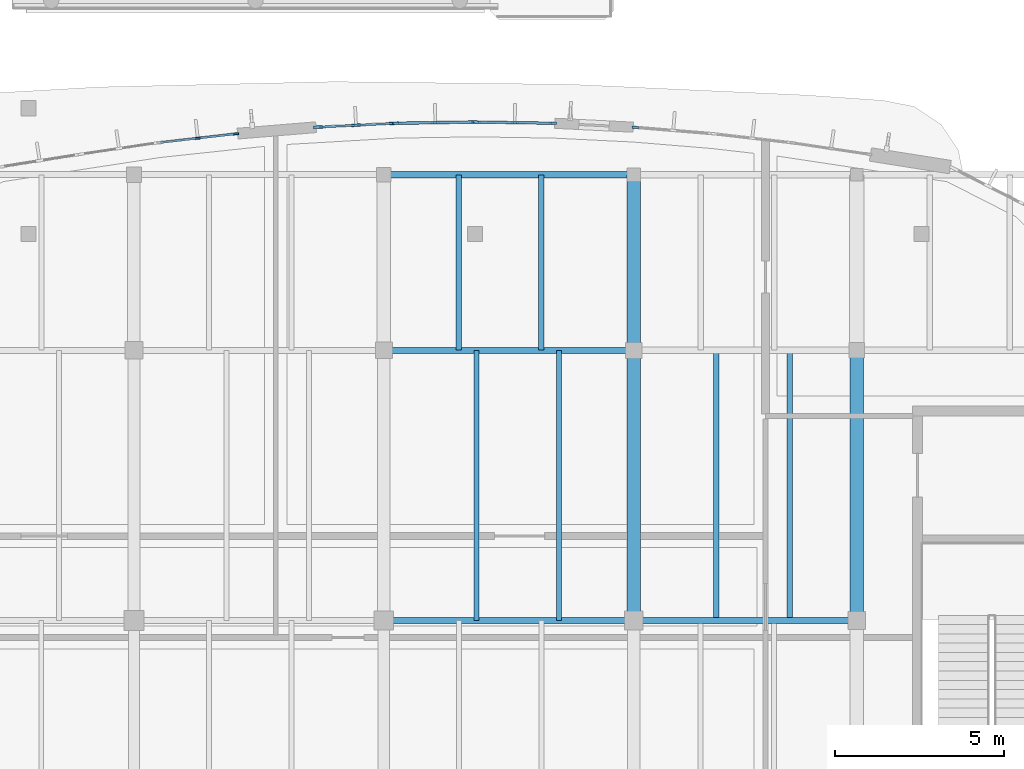
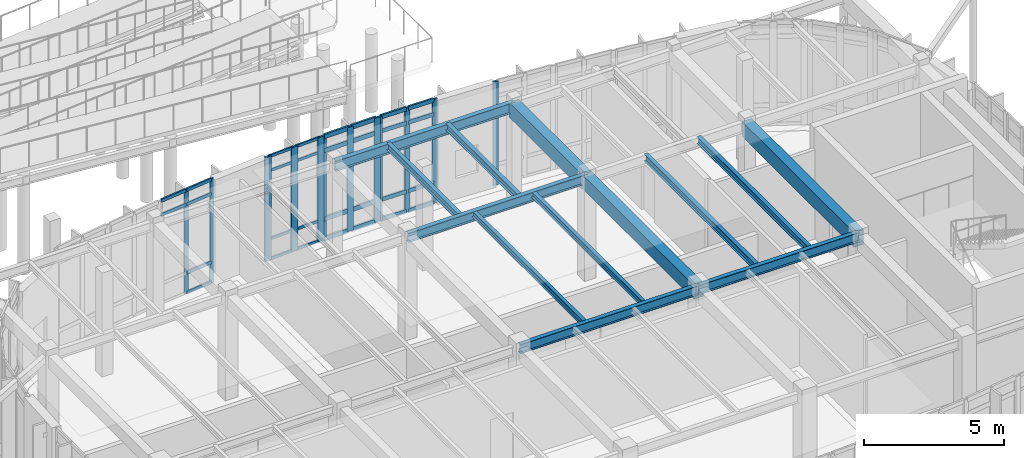
# One storey, part 33 of 120: 42 members, 13 beams, 5 elements without a shape of their own.
"""IFC4 building model written with IfcOpenShell, lengths in metres."""

from ifc_helpers import new_model, si_unit, direction, frame, origin, origin_2d, place, context, subcontext, project, spatial, rectangle, i_section, extrude, material, material_profile, profile_set, type_object, element, aggregate, save


model = new_model("IFC4")

# Units and contexts
model_context = context("Model", 3, precision=1e-05, world=origin(), true_north=direction((0.0, 1.0)))
body_context = subcontext(model_context, "Body", "Model", "MODEL_VIEW")
ifc_project = project(units=[si_unit("LENGTHUNIT", "METRE"), si_unit("AREAUNIT", "SQUARE_METRE"), si_unit("VOLUMEUNIT", "CUBIC_METRE"), si_unit("PLANEANGLEUNIT", "RADIAN"), si_unit("MASSUNIT", "GRAM", prefix="KILO")], contexts=[model_context])

# Site, building, storey
site_placement = place(None, origin())
site = spatial("IfcSite", under=ifc_project, at=site_placement, CompositionType="ELEMENT")
building_placement = place(site_placement, origin())
building = spatial("IfcBuilding", under=site, at=building_placement, Name="Corveleigh Park Community Centre", CompositionType="ELEMENT")
storey_placement = place(building_placement, origin())
storey = spatial("IfcBuildingStorey", under=building, at=storey_placement, Name="L00", CompositionType="ELEMENT", Elevation=0.0)

# Beams
ifc_material_1 = material(Name="Concrete C40/50", Category="concrete")
ifc_material_profile_1 = material_profile(ifc_material_1, rectangle(XDim=0.39990234375, YDim=0.60009765625, at=origin_2d()), Name="RC-400x600", Category="concrete")
ifc_profile_set_1 = profile_set([ifc_material_profile_1], Name="Concrete C40/50")
beam_type_1 = type_object("IfcBeamType", Name="BM-RC-400x600", PredefinedType="BEAM", material=ifc_profile_set_1)
beam_1_placement = place(storey_placement, frame((94.199951171875, 18.804931640625, 4.241943359375), z_axis=(0.0, 1.0, 0.0), x_axis=(-1.0, 0.0, 0.0)))
element("IfcBeam", 1, at=beam_1_placement, inside=storey, type_object=beam_type_1, Name="V3 Girder Y", PredefinedType="BEAM", context=body_context, shape_type="SweptSolid", body=[
    extrude(rectangle(XDim=0.39990234375, YDim=0.60009765625, at=origin_2d()), origin(), (0.0, 0.0, 1.0), 7.989990234375),
])
ifc_material_profile_2 = material_profile(ifc_material_1, rectangle(XDim=0.39990234375, YDim=0.64990234375, at=origin_2d()), Name="RC-400x650", Category="concrete")
ifc_profile_set_2 = profile_set([ifc_material_profile_2], Name="Concrete C40/50")
beam_type_2 = type_object("IfcBeamType", Name="BM-RC-400x650", PredefinedType="BEAM", material=ifc_profile_set_2)
beam_2_placement = place(storey_placement, frame((94.199951171875, 26.804931640625, 4.2119140625), z_axis=(0.0, 1.0, 0.0), x_axis=(-1.0, 0.0, 0.0)))
element("IfcBeam", 2, at=beam_2_placement, inside=storey, type_object=beam_type_2, Name="V3 Girder Y", PredefinedType="BEAM", context=body_context, shape_type="SweptSolid", body=[
    extrude(rectangle(XDim=0.39990234375, YDim=0.64990234375, at=origin_2d()), origin(), (0.0, 0.0, 1.0), 5.190185546875),
])
beam_3_placement = place(storey_placement, frame((100.800048828125, 18.804931640625, 4.217041015625), z_axis=(0.0, 1.0, 0.0), x_axis=(-1.0, 0.0, 0.0)))
element("IfcBeam", 3, at=beam_3_placement, inside=storey, type_object=beam_type_2, Name="V3 Girder Y", PredefinedType="BEAM", context=body_context, shape_type="SweptSolid", body=[
    extrude(rectangle(XDim=0.39990234375, YDim=0.64990234375, at=origin_2d()), origin(), (0.0, 0.0, 1.0), 7.989990234375),
])
ifc_material_2 = material(Name="Steel S355", Category="steel")
ifc_material_profile_3 = material_profile(ifc_material_2, i_section(OverallWidth=0.147216796875, OverallDepth=0.259521484375, WebThickness=0.007080078125, FlangeThickness=0.0126953125, at=origin_2d()), Name="UKB 254x146x43", Category="steel")
ifc_profile_set_3 = profile_set([ifc_material_profile_3], Name="Steel S355")
beam_type_3 = type_object("IfcBeamType", Name="BM-STL-UKB254x43", PredefinedType="JOIST", material=ifc_profile_set_3)
for number, where, z_axis, x_axis, name in (
    (4, (89.5380859375, 18.804931640625, 4.412109375), (0.0, 1.0, 0.0), (-1.0, 0.0, 0.0), "Secondary floor joist"),
    (5, (91.97998046875, 18.804931640625, 4.412109375), (0.0, 1.0, 0.0), (-1.0, 0.0, 0.0), "Secondary floor joist"),
):
    element("IfcBeam", number, at=place(storey_placement, frame(where, z_axis=z_axis, x_axis=x_axis)), inside=storey, type_object=beam_type_3, Name=name, PredefinedType="JOIST", context=body_context, shape_type="SweptSolid", body=[
        extrude(i_section(OverallWidth=0.147216796875, OverallDepth=0.259521484375, WebThickness=0.007080078125, FlangeThickness=0.0126953125, at=origin_2d()), origin(), (0.0, 0.0, 1.0), 7.989990234375),
    ])
ifc_material_profile_4 = material_profile(ifc_material_2, i_section(OverallWidth=0.1650390625, OverallDepth=0.303466796875, WebThickness=0.006103515625, FlangeThickness=0.01025390625, at=origin_2d()), Name="UKB 305x165x40", Category="steel")
ifc_profile_set_4 = profile_set([ifc_material_profile_4], Name="Steel S355")
beam_type_4 = type_object("IfcBeamType", Name="BM-STL-UKB305x40", PredefinedType="JOIST", material=ifc_profile_set_4)
for number, where, z_axis, x_axis, name in (
    (6, (89.02001953125, 26.804931640625, 4.38525390625), (0.0, 1.0, 0.0), (-1.0, 0.0, 0.0), "Secondary floor joist"),
    (7, (91.4619140625, 26.804931640625, 4.38525390625), (0.0, 1.0, 0.0), (-1.0, 0.0, 0.0), "Secondary floor joist"),
):
    element("IfcBeam", number, at=place(storey_placement, frame(where, z_axis=z_axis, x_axis=x_axis)), inside=storey, type_object=beam_type_4, Name=name, PredefinedType="JOIST", context=body_context, shape_type="SweptSolid", body=[
        extrude(i_section(OverallWidth=0.1650390625, OverallDepth=0.303466796875, WebThickness=0.006103515625, FlangeThickness=0.01025390625, at=origin_2d()), origin(), (0.0, 0.0, 1.0), 5.190185546875),
    ])
for number, where, z_axis, x_axis, name in (
    (8, (96.64208984375, 18.804931640625, 4.390380859375), (0.0, 1.0, 0.0), (-1.0, 0.0, 0.0), "Secondary floor joist"),
    (9, (98.820068359375, 18.804931640625, 4.390380859375), (0.0, 1.0, 0.0), (-1.0, 0.0, 0.0), "Secondary floor joist"),
):
    element("IfcBeam", number, at=place(storey_placement, frame(where, z_axis=z_axis, x_axis=x_axis)), inside=storey, type_object=beam_type_4, Name=name, PredefinedType="JOIST", context=body_context, shape_type="SweptSolid", body=[
        extrude(i_section(OverallWidth=0.1650390625, OverallDepth=0.303466796875, WebThickness=0.006103515625, FlangeThickness=0.01025390625, at=origin_2d()), origin(), (0.0, 0.0, 1.0), 7.989990234375),
    ])
ifc_material_profile_5 = material_profile(ifc_material_2, i_section(OverallWidth=0.1787109375, OverallDepth=0.409423828125, WebThickness=0.0087890625, FlangeThickness=0.014404296875, at=origin_2d()), Name="UKB 406x178x67", Category="steel")
ifc_profile_set_5 = profile_set([ifc_material_profile_5], Name="Steel S355")
beam_type_5 = type_object("IfcBeamType", Name="BM-STL-UKB406x67", PredefinedType="BEAM", material=ifc_profile_set_5)
beam_4_placement = place(storey_placement, frame((86.804931640625, 18.800048828125, 4.33740234375), z_axis=(1.0, 0.0, 0.0), x_axis=(0.0, 1.0, 0.0)))
element("IfcBeam", 10, at=beam_4_placement, inside=storey, type_object=beam_type_5, Name="V3 Girder X", PredefinedType="BEAM", context=body_context, shape_type="SweptSolid", body=[
    extrude(i_section(OverallWidth=0.1787109375, OverallDepth=0.409423828125, WebThickness=0.0087890625, FlangeThickness=0.014404296875, at=origin_2d()), origin(), (0.0, 0.0, 1.0), 7.39013671875),
])
ifc_material_profile_6 = material_profile(ifc_material_2, i_section(OverallWidth=0.179443359375, OverallDepth=0.412841796875, WebThickness=0.009521484375, FlangeThickness=0.01611328125, at=origin_2d()), Name="UKB 406x178x74", Category="steel")
ifc_profile_set_6 = profile_set([ifc_material_profile_6], Name="Steel S355")
beam_type_6 = type_object("IfcBeamType", Name="BM-STL-UKB406x74", PredefinedType="BEAM", material=ifc_profile_set_6)
beam_5_placement = place(storey_placement, frame((94.205078125, 18.800048828125, 4.335693359375), z_axis=(1.0, 0.0, 0.0), x_axis=(0.0, 1.0, 0.0)))
element("IfcBeam", 11, at=beam_5_placement, inside=storey, type_object=beam_type_6, Name="V3 Girder X", PredefinedType="BEAM", context=body_context, shape_type="SweptSolid", body=[
    extrude(i_section(OverallWidth=0.179443359375, OverallDepth=0.412841796875, WebThickness=0.009521484375, FlangeThickness=0.01611328125, at=origin_2d()), origin(), (0.0, 0.0, 1.0), 6.58984375),
])
beam_6_placement = place(storey_placement, frame((86.804931640625, 26.800048828125, 4.335693359375), z_axis=(1.0, 0.0, 0.0), x_axis=(0.0, 1.0, 0.0)))
element("IfcBeam", 12, at=beam_6_placement, inside=storey, type_object=beam_type_6, Name="V3 Girder X", PredefinedType="BEAM", context=body_context, shape_type="SweptSolid", body=[
    extrude(i_section(OverallWidth=0.179443359375, OverallDepth=0.412841796875, WebThickness=0.009521484375, FlangeThickness=0.01611328125, at=origin_2d()), origin(), (0.0, 0.0, 1.0), 7.39013671875),
])
ifc_material_profile_7 = material_profile(ifc_material_2, i_section(OverallWidth=0.18994140625, OverallDepth=0.453369140625, WebThickness=0.008544921875, FlangeThickness=0.0126953125, at=origin_2d()), Name="UKB 457x191x67", Category="steel")
ifc_profile_set_7 = profile_set([ifc_material_profile_7], Name="Steel S355")
beam_type_7 = type_object("IfcBeamType", Name="BM-STL-UKB457x67", PredefinedType="BEAM", material=ifc_profile_set_7)
beam_7_placement = place(storey_placement, frame((86.804931640625, 32.0, 4.310302734375), z_axis=(1.0, 0.0, 0.0), x_axis=(0.0, 1.0, 0.0)))
element("IfcBeam", 13, at=beam_7_placement, inside=storey, type_object=beam_type_7, Name="V3 Girder X", PredefinedType="BEAM", context=body_context, shape_type="SweptSolid", body=[
    extrude(i_section(OverallWidth=0.18994140625, OverallDepth=0.453369140625, WebThickness=0.008544921875, FlangeThickness=0.0126953125, at=origin_2d()), origin(), (0.0, 0.0, 1.0), 7.39013671875),
])

# Curtain wall, members
ifc_material_3 = material(Name="Anodised aluminium 6063-T6", Category="aluminium")
curtain_wall_type = type_object("IfcCurtainWallType", Name="CW-SYS-V3-L00", PredefinedType="NOTDEFINED", material=ifc_material_3)
curtain_wall_1_placement = place(storey_placement, origin())
curtain_wall_1 = element("IfcCurtainWall", 14, at=curtain_wall_1_placement, inside=storey, type_object=curtain_wall_type, Name="V3 L00 Curtain Wall 97", PredefinedType="NOTDEFINED")
ifc_material_profile_8 = material_profile(ifc_material_3, rectangle(XDim=0.06005859375, YDim=0.159912109375, at=origin_2d()), Name="ALU-M60x160", Category="aluminium")
ifc_profile_set_8 = profile_set([ifc_material_profile_8], Name="Anodised aluminium 6063-T6")
member_type_1 = type_object("IfcMemberType", Name="CWM-60x160", PredefinedType="MULLION", material=ifc_profile_set_8)
member_1_placement = place(storey_placement, frame((81.29248046875, 33.07958984375, 0.0), z_axis=(0.0, 0.0, 1.0), x_axis=(-0.114477641449, 0.993425824915, 0.0)))
member_1 = element("IfcMember", 15, at=member_1_placement, type_object=member_type_1, Name="CW05 mullion 2", PredefinedType="MULLION", context=body_context, shape_type="SweptSolid", body=[
    extrude(rectangle(XDim=0.06005859375, YDim=0.159912109375, at=origin_2d()), origin(), (0.0, 0.0, 1.0), 4.537109375),
])
member_2_placement = place(storey_placement, frame((82.421142578125, 33.20947265625, 0.0), z_axis=(0.0, 0.0, 1.0), x_axis=(-0.114477641449, 0.993425824915, 0.0)))
member_2 = element("IfcMember", 16, at=member_2_placement, type_object=member_type_1, Name="CW05 mullion 3", PredefinedType="MULLION", context=body_context, shape_type="SweptSolid", body=[
    extrude(rectangle(XDim=0.06005859375, YDim=0.159912109375, at=origin_2d()), origin(), (0.0, 0.0, 1.0), 4.537109375),
])

# Curtain wall, member
curtain_wall_2_placement = place(storey_placement, origin())
curtain_wall_2 = element("IfcCurtainWall", 17, at=curtain_wall_2_placement, inside=storey, type_object=curtain_wall_type, Name="V3 L00 Curtain Wall 93", PredefinedType="NOTDEFINED")
ifc_material_profile_9 = material_profile(ifc_material_3, rectangle(XDim=0.070068359375, YDim=0.199951171875, at=origin_2d()), Name="ALU-M70x200", Category="aluminium")
ifc_profile_set_9 = profile_set([ifc_material_profile_9], Name="Anodised aluminium 6063-T6")
member_type_2 = type_object("IfcMemberType", Name="CWM-70x200", PredefinedType="MULLION", material=ifc_profile_set_9)
member_3_placement = place(storey_placement, frame((94.241943359375, 33.402099609375, 0.0), z_axis=(0.0, 0.0, 1.0), x_axis=(0.081483729643, 0.996674671999, 0.0)))
member_3 = element("IfcMember", 18, at=member_3_placement, type_object=member_type_2, Name="CW05 mullion 1", PredefinedType="MULLION", context=body_context, shape_type="SweptSolid", body=[
    extrude(rectangle(XDim=0.070068359375, YDim=0.199951171875, at=origin_2d()), origin(), (0.0, 0.0, 1.0), 4.537109375),
])
aggregate(curtain_wall_2, [member_3])

# Curtain wall, members
curtain_wall_3_placement = place(storey_placement, origin())
curtain_wall_3 = element("IfcCurtainWall", 19, at=curtain_wall_3_placement, inside=storey, type_object=curtain_wall_type, Name="V3 L00 Curtain Wall 94", PredefinedType="NOTDEFINED")
ifc_material_profile_10 = material_profile(ifc_material_3, rectangle(XDim=0.074951171875, YDim=0.219970703125, at=origin_2d()), Name="ALU-M75x220", Category="aluminium")
ifc_profile_set_10 = profile_set([ifc_material_profile_10], Name="Anodised aluminium 6063-T6")
member_type_3 = type_object("IfcMemberType", Name="CWM-75x220", PredefinedType="MULLION", material=ifc_profile_set_10)
member_4_placement = place(storey_placement, frame((89.54638671875, 33.559326171875, 0.0), z_axis=(0.0, 0.0, 1.0), x_axis=(0.016292862768, 0.999867262502, 0.0)))
member_4 = element("IfcMember", 20, at=member_4_placement, type_object=member_type_3, Name="CW05 mullion 1", PredefinedType="MULLION", context=body_context, shape_type="SweptSolid", body=[
    extrude(rectangle(XDim=0.074951171875, YDim=0.219970703125, at=origin_2d()), origin(), (0.0, 0.0, 1.0), 4.537109375),
])
member_5_placement = place(storey_placement, frame((90.675048828125, 33.541015625, 0.0), z_axis=(0.0, 0.0, 1.0), x_axis=(0.016292862768, 0.999867262502, 0.0)))
member_5 = element("IfcMember", 21, at=member_5_placement, type_object=member_type_3, Name="CW05 mullion 2", PredefinedType="MULLION", context=body_context, shape_type="SweptSolid", body=[
    extrude(rectangle(XDim=0.074951171875, YDim=0.219970703125, at=origin_2d()), origin(), (0.0, 0.0, 1.0), 4.537109375),
])
member_6_placement = place(storey_placement, frame((91.803466796875, 33.522705078125, 0.0), z_axis=(0.0, 0.0, 1.0), x_axis=(0.016292862768, 0.999867262502, 0.0)))
member_6 = element("IfcMember", 22, at=member_6_placement, type_object=member_type_3, Name="CW05 mullion 3", PredefinedType="MULLION", context=body_context, shape_type="SweptSolid", body=[
    extrude(rectangle(XDim=0.074951171875, YDim=0.219970703125, at=origin_2d()), origin(), (0.0, 0.0, 1.0), 4.537109375),
])

curtain_wall_4_placement = place(storey_placement, origin())
curtain_wall_4 = element("IfcCurtainWall", 23, at=curtain_wall_4_placement, inside=storey, type_object=curtain_wall_type, Name="V3 L00 Curtain Wall 95", PredefinedType="NOTDEFINED")
ifc_material_profile_11 = material_profile(ifc_material_3, rectangle(XDim=0.080078125, YDim=0.25, at=origin_2d()), Name="ALU-M80x250", Category="aluminium")
ifc_profile_set_11 = profile_set([ifc_material_profile_11], Name="Anodised aluminium 6063-T6")
member_type_4 = type_object("IfcMemberType", Name="CWM-80x250", PredefinedType="MULLION", material=ifc_profile_set_11)
member_7_placement = place(storey_placement, frame((87.198974609375, 33.522705078125, 0.0), z_axis=(0.0, 0.0, 1.0), x_axis=(-0.016292862768, 0.999867262502, 0.0)))
member_7 = element("IfcMember", 24, at=member_7_placement, type_object=member_type_4, Name="CW05 mullion 1", PredefinedType="MULLION", context=body_context, shape_type="SweptSolid", body=[
    extrude(rectangle(XDim=0.080078125, YDim=0.25, at=origin_2d()), origin(), (0.0, 0.0, 1.0), 4.537109375),
])
member_8_placement = place(storey_placement, frame((88.324951171875, 33.541015625, 0.0), z_axis=(0.0, 0.0, 1.0), x_axis=(-0.016292862768, 0.999867262502, 0.0)))
member_8 = element("IfcMember", 25, at=member_8_placement, type_object=member_type_4, Name="CW05 mullion 2", PredefinedType="MULLION", context=body_context, shape_type="SweptSolid", body=[
    extrude(rectangle(XDim=0.080078125, YDim=0.25, at=origin_2d()), origin(), (0.0, 0.0, 1.0), 4.537109375),
])
member_9_placement = place(storey_placement, frame((89.450927734375, 33.559326171875, 0.0), z_axis=(0.0, 0.0, 1.0), x_axis=(-0.016292862768, 0.999867262502, 0.0)))
member_9 = element("IfcMember", 26, at=member_9_placement, type_object=member_type_4, Name="CW05 mullion 3", PredefinedType="MULLION", context=body_context, shape_type="SweptSolid", body=[
    extrude(rectangle(XDim=0.080078125, YDim=0.25, at=origin_2d()), origin(), (0.0, 0.0, 1.0), 4.537109375),
])

curtain_wall_5_placement = place(storey_placement, origin())
curtain_wall_5 = element("IfcCurtainWall", 27, at=curtain_wall_5_placement, inside=storey, type_object=curtain_wall_type, Name="V3 L00 Curtain Wall 96", PredefinedType="NOTDEFINED")
ifc_material_profile_12 = material_profile(ifc_material_3, rectangle(XDim=0.0849609375, YDim=0.27490234375, at=origin_2d()), Name="ALU-M85x275", Category="aluminium")
ifc_profile_set_12 = profile_set([ifc_material_profile_12], Name="Anodised aluminium 6063-T6")
member_type_5 = type_object("IfcMemberType", Name="CWM-85x275", PredefinedType="MULLION", material=ifc_profile_set_12)
member_10_placement = place(storey_placement, frame((84.853515625, 33.408203125, 0.0), z_axis=(0.0, 0.0, 1.0), x_axis=(-0.049723823459, 0.998763005613, 0.0)))
member_10 = element("IfcMember", 28, at=member_10_placement, type_object=member_type_5, Name="CW05 mullion 1", PredefinedType="MULLION", context=body_context, shape_type="SweptSolid", body=[
    extrude(rectangle(XDim=0.0849609375, YDim=0.27490234375, at=origin_2d()), origin(), (0.0, 0.0, 1.0), 4.537109375),
])
member_11_placement = place(storey_placement, frame((85.97607421875, 33.464111328125, 0.0), z_axis=(0.0, 0.0, 1.0), x_axis=(-0.049723823459, 0.998763005613, 0.0)))
member_11 = element("IfcMember", 29, at=member_11_placement, type_object=member_type_5, Name="CW05 mullion 2", PredefinedType="MULLION", context=body_context, shape_type="SweptSolid", body=[
    extrude(rectangle(XDim=0.0849609375, YDim=0.27490234375, at=origin_2d()), origin(), (0.0, 0.0, 1.0), 4.537109375),
])
member_12_placement = place(storey_placement, frame((87.0986328125, 33.519775390625, 0.0), z_axis=(0.0, 0.0, 1.0), x_axis=(-0.049723823459, 0.998763005613, 0.0)))
member_12 = element("IfcMember", 30, at=member_12_placement, type_object=member_type_5, Name="CW05 mullion 3", PredefinedType="MULLION", context=body_context, shape_type="SweptSolid", body=[
    extrude(rectangle(XDim=0.0849609375, YDim=0.27490234375, at=origin_2d()), origin(), (0.0, 0.0, 1.0), 4.537109375),
])
ifc_material_profile_13 = material_profile(ifc_material_3, rectangle(XDim=0.06005859375, YDim=0.1201171875, at=origin_2d()), Name="ALU-T60x120", Category="aluminium")
ifc_profile_set_13 = profile_set([ifc_material_profile_13], Name="Anodised aluminium 6063-T6")
member_type_6 = type_object("IfcMemberType", Name="CWT-60x120", PredefinedType="USERDEFINED", material=ifc_profile_set_13)
member_13_placement = place(storey_placement, frame((84.89599609375, 33.41015625, 0.030029296875), z_axis=(0.998758192398, 0.049820408656, 0.0), x_axis=(-0.049820408656, 0.998758192398, 0.0)))
member_13 = element("IfcMember", 31, at=member_13_placement, type_object=member_type_6, Name="CW05 transom 1.1", ObjectType="TRANSOM", PredefinedType="USERDEFINED", context=body_context, shape_type="SweptSolid", body=[
    extrude(rectangle(XDim=0.06005859375, YDim=0.1201171875, at=origin_2d()), origin(), (0.0, 0.0, 1.0), 1.038818359375),
])
member_14_placement = place(storey_placement, frame((84.89599609375, 33.41015625, 0.89990234375), z_axis=(0.998758192398, 0.049820408656, 0.0), x_axis=(-0.049820408656, 0.998758192398, 0.0)))
member_14 = element("IfcMember", 32, at=member_14_placement, type_object=member_type_6, Name="CW05 transom 1.2", ObjectType="TRANSOM", PredefinedType="USERDEFINED", context=body_context, shape_type="SweptSolid", body=[
    extrude(rectangle(XDim=0.06005859375, YDim=0.1201171875, at=origin_2d()), origin(), (0.0, 0.0, 1.0), 1.038818359375),
])
member_15_placement = place(storey_placement, frame((84.89599609375, 33.41015625, 3.886962890625), z_axis=(0.998758192398, 0.049820408656, 0.0), x_axis=(-0.049820408656, 0.998758192398, 0.0)))
member_15 = element("IfcMember", 33, at=member_15_placement, type_object=member_type_6, Name="CW05 transom 1.3", ObjectType="TRANSOM", PredefinedType="USERDEFINED", context=body_context, shape_type="SweptSolid", body=[
    extrude(rectangle(XDim=0.06005859375, YDim=0.1201171875, at=origin_2d()), origin(), (0.0, 0.0, 1.0), 1.038818359375),
])
member_16_placement = place(storey_placement, frame((84.89599609375, 33.41015625, 4.507080078125), z_axis=(0.998758192398, 0.049820408656, 0.0), x_axis=(-0.049820408656, 0.998758192398, 0.0)))
member_16 = element("IfcMember", 34, at=member_16_placement, type_object=member_type_6, Name="CW05 transom 1.4", ObjectType="TRANSOM", PredefinedType="USERDEFINED", context=body_context, shape_type="SweptSolid", body=[
    extrude(rectangle(XDim=0.06005859375, YDim=0.1201171875, at=origin_2d()), origin(), (0.0, 0.0, 1.0), 1.038818359375),
])
member_17_placement = place(storey_placement, frame((86.0185546875, 33.466064453125, 0.030029296875), z_axis=(0.998758192398, 0.049820408656, 0.0), x_axis=(-0.049820408656, 0.998758192398, 0.0)))
member_17 = element("IfcMember", 35, at=member_17_placement, type_object=member_type_6, Name="CW05 transom 2.1", ObjectType="TRANSOM", PredefinedType="USERDEFINED", context=body_context, shape_type="SweptSolid", body=[
    extrude(rectangle(XDim=0.06005859375, YDim=0.1201171875, at=origin_2d()), origin(), (0.0, 0.0, 1.0), 1.038818359375),
])
member_18_placement = place(storey_placement, frame((86.0185546875, 33.466064453125, 0.89990234375), z_axis=(0.998758192398, 0.049820408656, 0.0), x_axis=(-0.049820408656, 0.998758192398, 0.0)))
member_18 = element("IfcMember", 36, at=member_18_placement, type_object=member_type_6, Name="CW05 transom 2.2", ObjectType="TRANSOM", PredefinedType="USERDEFINED", context=body_context, shape_type="SweptSolid", body=[
    extrude(rectangle(XDim=0.06005859375, YDim=0.1201171875, at=origin_2d()), origin(), (0.0, 0.0, 1.0), 1.038818359375),
])
member_19_placement = place(storey_placement, frame((86.0185546875, 33.466064453125, 3.886962890625), z_axis=(0.998758192398, 0.049820408656, 0.0), x_axis=(-0.049820408656, 0.998758192398, 0.0)))
member_19 = element("IfcMember", 37, at=member_19_placement, type_object=member_type_6, Name="CW05 transom 2.3", ObjectType="TRANSOM", PredefinedType="USERDEFINED", context=body_context, shape_type="SweptSolid", body=[
    extrude(rectangle(XDim=0.06005859375, YDim=0.1201171875, at=origin_2d()), origin(), (0.0, 0.0, 1.0), 1.038818359375),
])
member_20_placement = place(storey_placement, frame((86.0185546875, 33.466064453125, 4.507080078125), z_axis=(0.998758192398, 0.049820408656, 0.0), x_axis=(-0.049820408656, 0.998758192398, 0.0)))
member_20 = element("IfcMember", 38, at=member_20_placement, type_object=member_type_6, Name="CW05 transom 2.4", ObjectType="TRANSOM", PredefinedType="USERDEFINED", context=body_context, shape_type="SweptSolid", body=[
    extrude(rectangle(XDim=0.06005859375, YDim=0.1201171875, at=origin_2d()), origin(), (0.0, 0.0, 1.0), 1.038818359375),
])
aggregate(curtain_wall_5, [member_10, member_11, member_12, member_13, member_14, member_15, member_16, member_17, member_18, member_19, member_20])

# Member
ifc_material_profile_14 = material_profile(ifc_material_3, rectangle(XDim=0.06494140625, YDim=0.139892578125, at=origin_2d()), Name="ALU-T65x140", Category="aluminium")
ifc_profile_set_14 = profile_set([ifc_material_profile_14], Name="Anodised aluminium 6063-T6")
member_type_7 = type_object("IfcMemberType", Name="CWT-65x140", PredefinedType="USERDEFINED", material=ifc_profile_set_14)
member_21_placement = place(storey_placement, frame((80.193603515625, 32.952880859375, 3.886962890625), z_axis=(0.993415888846, 0.114563832808, 0.0), x_axis=(-0.114563832808, 0.993415888846, 0.0)))
member_21 = element("IfcMember", 39, at=member_21_placement, type_object=member_type_7, Name="CW05 transom 1.3", ObjectType="TRANSOM", PredefinedType="USERDEFINED", context=body_context, shape_type="SweptSolid", body=[
    extrude(rectangle(XDim=0.06494140625, YDim=0.139892578125, at=origin_2d()), origin(), (0.0, 0.0, 1.0), 1.076171875),
])

member_22_placement = place(storey_placement, frame((80.193603515625, 32.952880859375, 4.50439453125), z_axis=(0.993415888846, 0.114563832808, 0.0), x_axis=(-0.114563832808, 0.993415888846, 0.0)))
member_22 = element("IfcMember", 40, at=member_22_placement, type_object=member_type_7, Name="CW05 transom 1.4", ObjectType="TRANSOM", PredefinedType="USERDEFINED", context=body_context, shape_type="SweptSolid", body=[
    extrude(rectangle(XDim=0.06494140625, YDim=0.139892578125, at=origin_2d()), origin(), (0.0, 0.0, 1.0), 1.076171875),
])

member_23_placement = place(storey_placement, frame((81.322265625, 33.0830078125, 0.032470703125), z_axis=(0.993441683013, 0.114339942507, 0.0), x_axis=(-0.114339942507, 0.993441683013, 0.0)))
member_23 = element("IfcMember", 41, at=member_23_placement, type_object=member_type_7, Name="CW05 transom 2.1", ObjectType="TRANSOM", PredefinedType="USERDEFINED", context=body_context, shape_type="SweptSolid", body=[
    extrude(rectangle(XDim=0.06494140625, YDim=0.139892578125, at=origin_2d()), origin(), (0.0, 0.0, 1.0), 1.076171875),
])

member_24_placement = place(storey_placement, frame((81.322265625, 33.0830078125, 0.89990234375), z_axis=(0.993441683013, 0.114339942507, 0.0), x_axis=(-0.114339942507, 0.993441683013, 0.0)))
member_24 = element("IfcMember", 42, at=member_24_placement, type_object=member_type_7, Name="CW05 transom 2.2", ObjectType="TRANSOM", PredefinedType="USERDEFINED", context=body_context, shape_type="SweptSolid", body=[
    extrude(rectangle(XDim=0.06494140625, YDim=0.139892578125, at=origin_2d()), origin(), (0.0, 0.0, 1.0), 1.076171875),
])

member_25_placement = place(storey_placement, frame((81.322265625, 33.0830078125, 3.886962890625), z_axis=(0.993441683013, 0.114339942507, 0.0), x_axis=(-0.114339942507, 0.993441683013, 0.0)))
member_25 = element("IfcMember", 43, at=member_25_placement, type_object=member_type_7, Name="CW05 transom 2.3", ObjectType="TRANSOM", PredefinedType="USERDEFINED", context=body_context, shape_type="SweptSolid", body=[
    extrude(rectangle(XDim=0.06494140625, YDim=0.139892578125, at=origin_2d()), origin(), (0.0, 0.0, 1.0), 1.076171875),
])

member_26_placement = place(storey_placement, frame((81.322265625, 33.0830078125, 4.50439453125), z_axis=(0.993441683013, 0.114339942507, 0.0), x_axis=(-0.114339942507, 0.993441683013, 0.0)))
member_26 = element("IfcMember", 44, at=member_26_placement, type_object=member_type_7, Name="CW05 transom 2.4", ObjectType="TRANSOM", PredefinedType="USERDEFINED", context=body_context, shape_type="SweptSolid", body=[
    extrude(rectangle(XDim=0.06494140625, YDim=0.139892578125, at=origin_2d()), origin(), (0.0, 0.0, 1.0), 1.076171875),
])

aggregate(curtain_wall_1, [member_1, member_2, member_21, member_22, member_23, member_24, member_25, member_26])

ifc_material_profile_15 = material_profile(ifc_material_3, rectangle(XDim=0.074951171875, YDim=0.175048828125, at=origin_2d()), Name="ALU-T75x175", Category="aluminium")
ifc_profile_set_15 = profile_set([ifc_material_profile_15], Name="Anodised aluminium 6063-T6")
member_type_8 = type_object("IfcMemberType", Name="CWT-75x175", PredefinedType="USERDEFINED", material=ifc_profile_set_15)
member_27_placement = place(storey_placement, frame((89.583984375, 33.558837890625, 0.03759765625), z_axis=(0.999864656649, -0.016452002462, 0.0), x_axis=(0.016452002462, 0.999864656649, 0.0)))
member_27 = element("IfcMember", 45, at=member_27_placement, type_object=member_type_8, Name="CW05 transom 1.1", ObjectType="TRANSOM", PredefinedType="USERDEFINED", context=body_context, shape_type="SweptSolid", body=[
    extrude(rectangle(XDim=0.074951171875, YDim=0.175048828125, at=origin_2d()), origin(), (0.0, 0.0, 1.0), 1.0537109375),
])

member_28_placement = place(storey_placement, frame((89.583984375, 33.558837890625, 0.89990234375), z_axis=(0.999864656649, -0.016452002462, 0.0), x_axis=(0.016452002462, 0.999864656649, 0.0)))
member_28 = element("IfcMember", 46, at=member_28_placement, type_object=member_type_8, Name="CW05 transom 1.2", ObjectType="TRANSOM", PredefinedType="USERDEFINED", context=body_context, shape_type="SweptSolid", body=[
    extrude(rectangle(XDim=0.074951171875, YDim=0.175048828125, at=origin_2d()), origin(), (0.0, 0.0, 1.0), 1.0537109375),
])

member_29_placement = place(storey_placement, frame((89.583984375, 33.558837890625, 3.886962890625), z_axis=(0.999864656649, -0.016452002462, 0.0), x_axis=(0.016452002462, 0.999864656649, 0.0)))
member_29 = element("IfcMember", 47, at=member_29_placement, type_object=member_type_8, Name="CW05 transom 1.3", ObjectType="TRANSOM", PredefinedType="USERDEFINED", context=body_context, shape_type="SweptSolid", body=[
    extrude(rectangle(XDim=0.074951171875, YDim=0.175048828125, at=origin_2d()), origin(), (0.0, 0.0, 1.0), 1.0537109375),
])

member_30_placement = place(storey_placement, frame((89.583984375, 33.558837890625, 4.49951171875), z_axis=(0.999864656649, -0.016452002462, 0.0), x_axis=(0.016452002462, 0.999864656649, 0.0)))
member_30 = element("IfcMember", 48, at=member_30_placement, type_object=member_type_8, Name="CW05 transom 1.4", ObjectType="TRANSOM", PredefinedType="USERDEFINED", context=body_context, shape_type="SweptSolid", body=[
    extrude(rectangle(XDim=0.074951171875, YDim=0.175048828125, at=origin_2d()), origin(), (0.0, 0.0, 1.0), 1.0537109375),
])

member_31_placement = place(storey_placement, frame((90.71240234375, 33.540283203125, 0.03759765625), z_axis=(0.999868502486, -0.016216588316, 0.0), x_axis=(0.016216588316, 0.999868502486, 0.0)))
member_31 = element("IfcMember", 49, at=member_31_placement, type_object=member_type_8, Name="CW05 transom 2.1", ObjectType="TRANSOM", PredefinedType="USERDEFINED", context=body_context, shape_type="SweptSolid", body=[
    extrude(rectangle(XDim=0.074951171875, YDim=0.175048828125, at=origin_2d()), origin(), (0.0, 0.0, 1.0), 1.053955078125),
])

member_32_placement = place(storey_placement, frame((90.71240234375, 33.540283203125, 0.89990234375), z_axis=(0.999868502486, -0.016216588316, 0.0), x_axis=(0.016216588316, 0.999868502486, 0.0)))
member_32 = element("IfcMember", 50, at=member_32_placement, type_object=member_type_8, Name="CW05 transom 2.2", ObjectType="TRANSOM", PredefinedType="USERDEFINED", context=body_context, shape_type="SweptSolid", body=[
    extrude(rectangle(XDim=0.074951171875, YDim=0.175048828125, at=origin_2d()), origin(), (0.0, 0.0, 1.0), 1.053955078125),
])

member_33_placement = place(storey_placement, frame((90.71240234375, 33.540283203125, 3.886962890625), z_axis=(0.999868502486, -0.016216588316, 0.0), x_axis=(0.016216588316, 0.999868502486, 0.0)))
member_33 = element("IfcMember", 51, at=member_33_placement, type_object=member_type_8, Name="CW05 transom 2.3", ObjectType="TRANSOM", PredefinedType="USERDEFINED", context=body_context, shape_type="SweptSolid", body=[
    extrude(rectangle(XDim=0.074951171875, YDim=0.175048828125, at=origin_2d()), origin(), (0.0, 0.0, 1.0), 1.053955078125),
])

member_34_placement = place(storey_placement, frame((90.71240234375, 33.540283203125, 4.49951171875), z_axis=(0.999868502486, -0.016216588316, 0.0), x_axis=(0.016216588316, 0.999868502486, 0.0)))
member_34 = element("IfcMember", 52, at=member_34_placement, type_object=member_type_8, Name="CW05 transom 2.4", ObjectType="TRANSOM", PredefinedType="USERDEFINED", context=body_context, shape_type="SweptSolid", body=[
    extrude(rectangle(XDim=0.074951171875, YDim=0.175048828125, at=origin_2d()), origin(), (0.0, 0.0, 1.0), 1.053955078125),
])

aggregate(curtain_wall_3, [member_4, member_5, member_6, member_27, member_28, member_29, member_30, member_31, member_32, member_33, member_34])

ifc_material_profile_16 = material_profile(ifc_material_3, rectangle(XDim=0.080078125, YDim=0.195068359375, at=origin_2d()), Name="ALU-T80x195", Category="aluminium")
ifc_profile_set_16 = profile_set([ifc_material_profile_16], Name="Anodised aluminium 6063-T6")
member_type_9 = type_object("IfcMemberType", Name="CWT-80x195", PredefinedType="USERDEFINED", material=ifc_profile_set_16)
member_35_placement = place(storey_placement, frame((87.239013671875, 33.523193359375, 0.0400390625), z_axis=(0.999866531062, 0.016337688416, 0.0), x_axis=(-0.016337688416, 0.999866531062, 0.0)))
member_35 = element("IfcMember", 53, at=member_35_placement, type_object=member_type_9, Name="CW05 transom 1.1", ObjectType="TRANSOM", PredefinedType="USERDEFINED", context=body_context, shape_type="SweptSolid", body=[
    extrude(rectangle(XDim=0.080078125, YDim=0.195068359375, at=origin_2d()), origin(), (0.0, 0.0, 1.0), 1.046142578125),
])

member_36_placement = place(storey_placement, frame((87.239013671875, 33.523193359375, 0.89990234375), z_axis=(0.999866531062, 0.016337688416, 0.0), x_axis=(-0.016337688416, 0.999866531062, 0.0)))
member_36 = element("IfcMember", 54, at=member_36_placement, type_object=member_type_9, Name="CW05 transom 1.2", ObjectType="TRANSOM", PredefinedType="USERDEFINED", context=body_context, shape_type="SweptSolid", body=[
    extrude(rectangle(XDim=0.080078125, YDim=0.195068359375, at=origin_2d()), origin(), (0.0, 0.0, 1.0), 1.046142578125),
])

member_37_placement = place(storey_placement, frame((87.239013671875, 33.523193359375, 3.886962890625), z_axis=(0.999866531062, 0.016337688416, 0.0), x_axis=(-0.016337688416, 0.999866531062, 0.0)))
member_37 = element("IfcMember", 55, at=member_37_placement, type_object=member_type_9, Name="CW05 transom 1.3", ObjectType="TRANSOM", PredefinedType="USERDEFINED", context=body_context, shape_type="SweptSolid", body=[
    extrude(rectangle(XDim=0.080078125, YDim=0.195068359375, at=origin_2d()), origin(), (0.0, 0.0, 1.0), 1.046142578125),
])

member_38_placement = place(storey_placement, frame((87.239013671875, 33.523193359375, 4.4970703125), z_axis=(0.999866531062, 0.016337688416, 0.0), x_axis=(-0.016337688416, 0.999866531062, 0.0)))
member_38 = element("IfcMember", 56, at=member_38_placement, type_object=member_type_9, Name="CW05 transom 1.4", ObjectType="TRANSOM", PredefinedType="USERDEFINED", context=body_context, shape_type="SweptSolid", body=[
    extrude(rectangle(XDim=0.080078125, YDim=0.195068359375, at=origin_2d()), origin(), (0.0, 0.0, 1.0), 1.046142578125),
])

member_39_placement = place(storey_placement, frame((88.364990234375, 33.541748046875, 0.0400390625), z_axis=(0.999870316485, 0.016104353837, 0.0), x_axis=(-0.016104353837, 0.999870316485, 0.0)))
member_39 = element("IfcMember", 57, at=member_39_placement, type_object=member_type_9, Name="CW05 transom 2.1", ObjectType="TRANSOM", PredefinedType="USERDEFINED", context=body_context, shape_type="SweptSolid", body=[
    extrude(rectangle(XDim=0.080078125, YDim=0.195068359375, at=origin_2d()), origin(), (0.0, 0.0, 1.0), 1.046142578125),
])

member_40_placement = place(storey_placement, frame((88.364990234375, 33.541748046875, 0.89990234375), z_axis=(0.999870316485, 0.016104353837, 0.0), x_axis=(-0.016104353837, 0.999870316485, 0.0)))
member_40 = element("IfcMember", 58, at=member_40_placement, type_object=member_type_9, Name="CW05 transom 2.2", ObjectType="TRANSOM", PredefinedType="USERDEFINED", context=body_context, shape_type="SweptSolid", body=[
    extrude(rectangle(XDim=0.080078125, YDim=0.195068359375, at=origin_2d()), origin(), (0.0, 0.0, 1.0), 1.046142578125),
])

member_41_placement = place(storey_placement, frame((88.364990234375, 33.541748046875, 3.886962890625), z_axis=(0.999870316485, 0.016104353837, 0.0), x_axis=(-0.016104353837, 0.999870316485, 0.0)))
member_41 = element("IfcMember", 59, at=member_41_placement, type_object=member_type_9, Name="CW05 transom 2.3", ObjectType="TRANSOM", PredefinedType="USERDEFINED", context=body_context, shape_type="SweptSolid", body=[
    extrude(rectangle(XDim=0.080078125, YDim=0.195068359375, at=origin_2d()), origin(), (0.0, 0.0, 1.0), 1.046142578125),
])

member_42_placement = place(storey_placement, frame((88.364990234375, 33.541748046875, 4.4970703125), z_axis=(0.999870316485, 0.016104353837, 0.0), x_axis=(-0.016104353837, 0.999870316485, 0.0)))
member_42 = element("IfcMember", 60, at=member_42_placement, type_object=member_type_9, Name="CW05 transom 2.4", ObjectType="TRANSOM", PredefinedType="USERDEFINED", context=body_context, shape_type="SweptSolid", body=[
    extrude(rectangle(XDim=0.080078125, YDim=0.195068359375, at=origin_2d()), origin(), (0.0, 0.0, 1.0), 1.046142578125),
])

aggregate(curtain_wall_4, [member_7, member_8, member_9, member_35, member_36, member_37, member_38, member_39, member_40, member_41, member_42])

save(model, "model.ifc")
